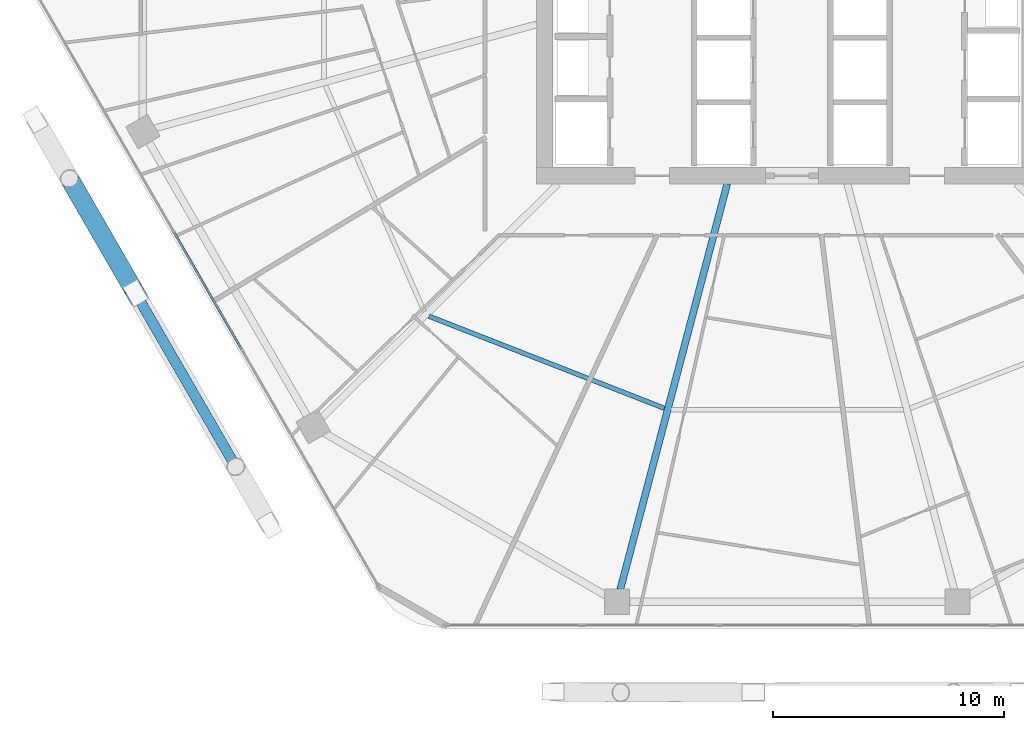
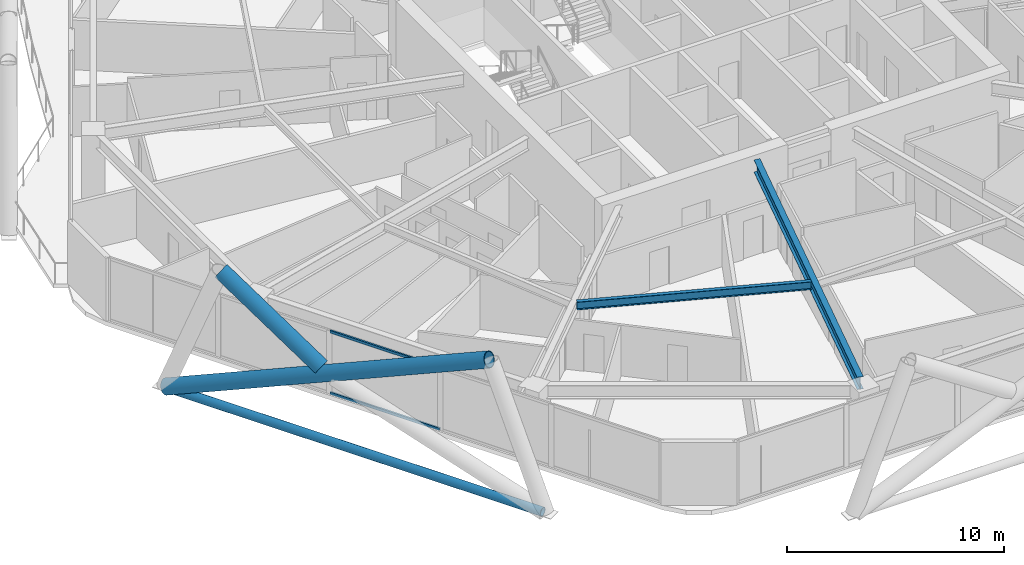
# One storey, part 5 of 36: 5 members, 2 beams, 1 element without a shape of its own.
"""IFC4 building model written with IfcOpenShell, lengths in metres."""

from ifc_helpers import new_model, si_unit, direction, frame, origin, origin_2d, place, context, subcontext, project, spatial, hollow_rectangle, hollow_circle, i_section, extrude, material, material_profile, profile_set, type_object, element, aggregate, save


model = new_model("IFC4")

# Units and contexts
model_context = context("Model", 3, precision=1e-05, world=origin(), true_north=direction((0.0, 1.0)))
body_context = subcontext(model_context, "Body", "Model", "MODEL_VIEW")
ifc_project = project(units=[si_unit("LENGTHUNIT", "METRE"), si_unit("AREAUNIT", "SQUARE_METRE"), si_unit("VOLUMEUNIT", "CUBIC_METRE"), si_unit("PLANEANGLEUNIT", "RADIAN"), si_unit("MASSUNIT", "GRAM", prefix="KILO")], contexts=[model_context])

# Site, building, storey
site_placement = place(None, origin())
site = spatial("IfcSite", under=ifc_project, at=site_placement, CompositionType="ELEMENT")
building_placement = place(site_placement, origin())
building = spatial("IfcBuilding", under=site, at=building_placement, Name="Zuhravey Tower", CompositionType="ELEMENT")
storey_placement = place(building_placement, frame((0.0, 0.0, 107.60009765625)))
storey = spatial("IfcBuildingStorey", under=building, at=storey_placement, Name="L26", CompositionType="ELEMENT", Elevation=107.60009765625)

# Curtain wall, members
ifc_material_1 = material(Name="Thermally broken anodised aluminium", Category="aluminium")
curtain_wall_type = type_object("IfcCurtainWallType", Name="Zone 1-2 Residential Curtain Wall CW3", PredefinedType="NOTDEFINED", material=ifc_material_1)
curtain_wall_placement = place(storey_placement, origin())
curtain_wall = element("IfcCurtainWall", 1, at=curtain_wall_placement, inside=storey, type_object=curtain_wall_type, Name="L26 CW3 CW-L26-F4-1", PredefinedType="NOTDEFINED")
ifc_material_2 = material(Name="Anodised aluminium", Category="aluminium")
ifc_material_profile_1 = material_profile(ifc_material_2, hollow_rectangle(XDim=0.090087890625, YDim=0.14990234375, WallThickness=0.0048828125, at=origin_2d()), Name="ALU-RHS-90x150x5")
ifc_profile_set_1 = profile_set([ifc_material_profile_1], Name="Anodised aluminium")
member_type_1 = type_object("IfcMemberType", Name="Curtain-Wall Transom 90x150", PredefinedType="USERDEFINED", material=ifc_profile_set_1)
member_1_placement = place(storey_placement, frame((12.378662109375, 14.996337890625, 0.044921875), z_axis=(-0.499981042766, 0.866036348472, 0.0), x_axis=(-0.866036348472, -0.499981042766, 0.0)))
member_1 = element("IfcMember", 2, at=member_1_placement, type_object=member_type_1, Name="CW3 transom 3.1", ObjectType="TRANSOM", PredefinedType="USERDEFINED", context=body_context, shape_type="SweptSolid", body=[
    extrude(hollow_rectangle(XDim=0.090087890625, YDim=0.14990234375, WallThickness=0.0048828125, at=origin_2d()), origin(), (0.0, 0.0, 1.0), 5.829833984375),
])
member_2_placement = place(storey_placement, frame((12.378662109375, 14.996337890625, 3.5048828125), z_axis=(-0.499981042766, 0.866036348472, 0.0), x_axis=(-0.866036348472, -0.499981042766, 0.0)))
member_2 = element("IfcMember", 3, at=member_2_placement, type_object=member_type_1, Name="CW3 transom 3.2", ObjectType="TRANSOM", PredefinedType="USERDEFINED", context=body_context, shape_type="SweptSolid", body=[
    extrude(hollow_rectangle(XDim=0.090087890625, YDim=0.14990234375, WallThickness=0.0048828125, at=origin_2d()), origin(), (0.0, 0.0, 1.0), 5.829833984375),
])
aggregate(curtain_wall, [member_1, member_2])

# Members
ifc_material_3 = material(Name="Steel SM355", Category="steel")
ifc_material_profile_2 = material_profile(ifc_material_3, hollow_circle(Radius=0.228515625, WallThickness=0.02197265625, at=origin_2d()), Name="CHS-457.2x22")
ifc_profile_set_2 = profile_set([ifc_material_profile_2], Name="Steel SM355")
member_type_2 = type_object("IfcMemberType", Name="Exoskeleton Ring Tie CHS457x22", PredefinedType="CHORD", material=ifc_profile_set_2)
member_3_placement = place(storey_placement, frame((3.53271484375, 24.79833984375, -0.464111328125), z_axis=(0.499987058157, -0.866032875632, 0.0), x_axis=(0.866032875632, 0.499987058157, 0.0)))
element("IfcMember", 4, at=member_3_placement, inside=storey, type_object=member_type_2, Name="L26 Exoskeleton Face 4 Tie EXR1", PredefinedType="CHORD", context=body_context, shape_type="SweptSolid", body=[
    extrude(hollow_circle(Radius=0.228515625, WallThickness=0.02197265625, at=origin_2d()), origin(), (0.0, 0.0, 1.0), 19.99365234375),
])
ifc_material_4 = material(Name="Steel SM460", Category="steel")
ifc_material_profile_3 = material_profile(ifc_material_4, hollow_circle(Radius=0.406494140625, WallThickness=0.035888671875, at=origin_2d()), Name="CHS-812.8x36")
ifc_profile_set_3 = profile_set([ifc_material_profile_3], Name="Steel SM460")
member_type_3 = type_object("IfcMemberType", Name="Exoskeleton Zone 1 Diagrid CHS813x36", PredefinedType="BRACE", material=ifc_profile_set_3)
member_4_placement = place(storey_placement, frame((3.48779296875, 24.8759765625, -0.442138671875), z_axis=(0.457897185127, -0.793115763737, 0.401618666355), x_axis=(0.866029382339, 0.499993108878, 0.0)))
element("IfcMember", 5, at=member_4_placement, inside=storey, type_object=member_type_3, Name="L26 Face 4 Diagrid Brace 2", PredefinedType="BRACE", context=body_context, shape_type="SweptSolid", body=[
    extrude(hollow_circle(Radius=0.406494140625, WallThickness=0.035888671875, at=origin_2d()), origin(), (0.0, 0.0, 1.0), 18.814208984375),
])
member_5_placement = place(storey_placement, frame((7.630126953125, 17.701171875, 3.55517578125), z_axis=(-0.416504317817, 0.72143614827, 0.553221508267), x_axis=(-0.866034259299, -0.499984661485, 0.0)))
element("IfcMember", 6, at=member_5_placement, inside=storey, type_object=member_type_3, Name="L26 Face 4 Split Diagrid Brace 3B", PredefinedType="BRACE", context=body_context, shape_type="SweptSolid", body=[
    extrude(hollow_circle(Radius=0.406494140625, WallThickness=0.035888671875, at=origin_2d()), origin(), (0.0, 0.0, 1.0), 6.41796875),
])

# Beams
ifc_material_profile_4 = material_profile(ifc_material_3, i_section(OverallWidth=0.300048828125, OverallDepth=0.699951171875, WebThickness=0.012939453125, FlangeThickness=0.02392578125, at=origin_2d()), Name="H-700x300x13x24")
ifc_profile_set_4 = profile_set([ifc_material_profile_4], Name="Steel SM355")
beam_type_1 = type_object("IfcBeamType", Name="Radial Primary Girder H700x300", PredefinedType="BEAM", material=ifc_profile_set_4)
beam_1_placement = place(storey_placement, frame((33.40185546875, 22.14697265625, 3.199951171875), z_axis=(-0.25498755891, -0.966944333869, 0.0), x_axis=(0.966944333869, -0.25498755891, 0.0)))
element("IfcBeam", 7, at=beam_1_placement, inside=storey, type_object=beam_type_1, Name="L26 RG1 BM-L26-RAD-09", PredefinedType="BEAM", context=body_context, shape_type="SweptSolid", body=[
    extrude(i_section(OverallWidth=0.300048828125, OverallDepth=0.699951171875, WebThickness=0.012939453125, FlangeThickness=0.02392578125, at=origin_2d()), origin(), (0.0, 0.0, 1.0), 18.1611328125),
])
ifc_material_profile_5 = material_profile(ifc_material_3, i_section(OverallWidth=0.199951171875, OverallDepth=0.449951171875, WebThickness=0.009033203125, FlangeThickness=0.013916015625, at=origin_2d()), Name="H-450x200x9x14")
ifc_profile_set_5 = profile_set([ifc_material_profile_5], Name="Steel SM355")
beam_type_2 = type_object("IfcBeamType", Name="Secondary Floor Joist H450x200", PredefinedType="JOIST", material=ifc_profile_set_5)
beam_2_placement = place(storey_placement, frame((20.49462890625, 16.418701171875, 3.324951171875), z_axis=(0.931216764731, -0.364465824302, 0.0), x_axis=(0.364465824302, 0.931216764731, 0.0)))
element("IfcBeam", 8, at=beam_2_placement, inside=storey, type_object=beam_type_2, Name="L26 SJ1 BM-L26-SJ-08-1", PredefinedType="JOIST", context=body_context, shape_type="SweptSolid", body=[
    extrude(i_section(OverallWidth=0.199951171875, OverallDepth=0.449951171875, WebThickness=0.009033203125, FlangeThickness=0.013916015625, at=origin_2d()), origin(), (0.0, 0.0, 1.0), 10.939453125),
])

save(model, "model.ifc")
